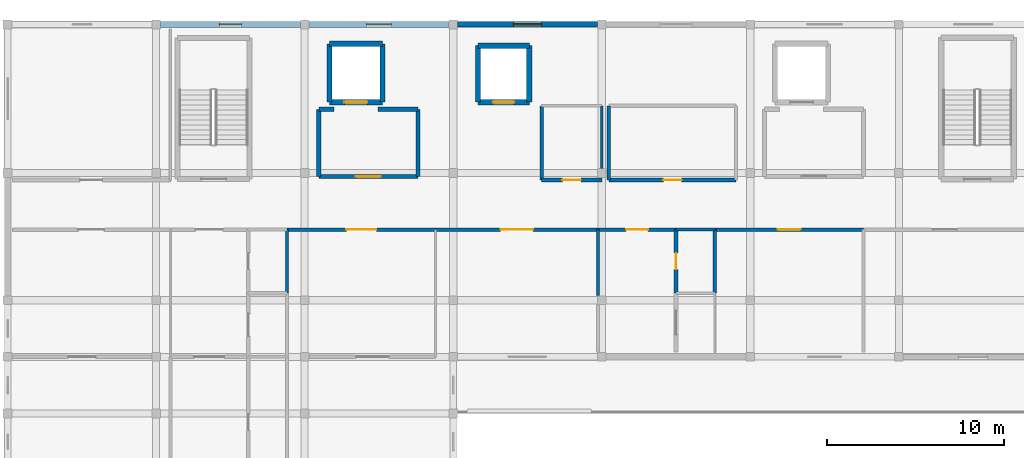
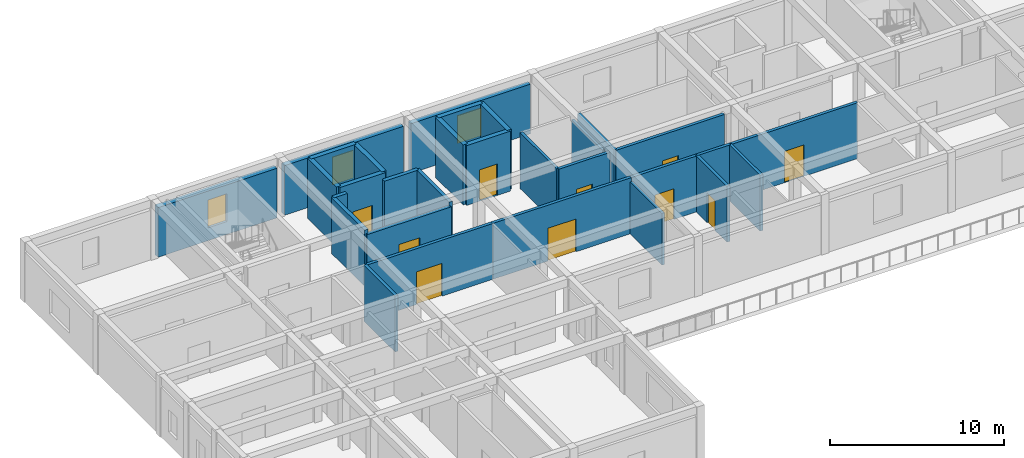
# One storey, part 12 of 26: 30 walls, 10 doors, 3 windows, 13 openings.
"""IFC4 building model written with IfcOpenShell, lengths in metres."""

from ifc_helpers import new_model, si_unit, direction, frame, frame_2d, origin, place, context, subcontext, project, spatial, rectangle, extrude, material, layer, layer_set, type_object, element, fill, save


model = new_model("IFC4")

# Units and contexts
model_context = context("Model", 3, precision=1e-05, world=origin(), true_north=direction((0.0, 1.0)))
body_context = subcontext(model_context, "Body", "Model", "MODEL_VIEW")
ifc_project = project(units=[si_unit("LENGTHUNIT", "METRE"), si_unit("AREAUNIT", "SQUARE_METRE"), si_unit("VOLUMEUNIT", "CUBIC_METRE"), si_unit("PLANEANGLEUNIT", "RADIAN"), si_unit("MASSUNIT", "GRAM", prefix="KILO")], contexts=[model_context])

# Site, building, storey
site_placement = place(None, origin())
site = spatial("IfcSite", under=ifc_project, at=site_placement, CompositionType="ELEMENT")
building_placement = place(site_placement, origin())
building = spatial("IfcBuilding", under=site, at=building_placement, Name="Varncliffe General Hospital", CompositionType="ELEMENT")
storey_placement = place(building_placement, frame((0.0, 0.0, 28.800048828125)))
storey = spatial("IfcBuildingStorey", under=building, at=storey_placement, Name="L06", CompositionType="ELEMENT", Elevation=28.800048828125)

# Wall, opening, window
ifc_material_1 = material(Name="Precast concrete C40/50 with insulated cream lime-cement stucco", Category="concrete")
ifc_layer_1 = layer(ifc_material_1, 0.31005859375)
ifc_layer_set_1 = layer_set([ifc_layer_1], Name="Precast concrete C40/50 with insulated cream lime-cement stucco")
wall_type_1 = type_object("IfcWallType", Name="Exterior Insulated Stucco Wall EW20 (310mm)", PredefinedType="SOLIDWALL", material=ifc_layer_set_1)
wall_1_placement = place(storey_placement, frame((25.447998046875, 124.800048828125, 0.0), z_axis=(0.0, 0.0, 1.0), x_axis=(1.0, 0.0, 0.0)))
wall_1 = element("IfcWall", 1, at=wall_1_placement, inside=storey, type_object=wall_type_1, Name="L06 Exterior Stucco Wall EW20-487", PredefinedType="SOLIDWALL", context=body_context, shape_type="SweptSolid", body=[
    extrude(rectangle(XDim=7.904052734375, YDim=0.31005859375, at=frame_2d((3.9521484375, 0.0))), origin(), (0.0, 0.0, 1.0), 3.47998046875),
])
opening_1_placement = place(wall_1_placement, frame((3.152099609375, 0.0, 0.89990234375)))
opening_1 = element("IfcOpeningElement", 2, at=opening_1_placement, cuts=wall_1, Name="Opening WN13", PredefinedType="OPENING", context=body_context, shape_type="SweptSolid", body=[
    extrude(rectangle(XDim=1.60009765625, YDim=1.949951171875, at=frame_2d((0.800048828125, 0.97509765625))), frame((0.0, 0.1650390625, 0.0), z_axis=(0.0, -1.0, 0.0), x_axis=(1.0, 0.0, 0.0)), (0.0, 0.0, 1.0), 0.330078125),
])
ifc_material_2 = material(Name="Triple low-E argon insulated vision glazing", Category="glass")
window_type_1 = type_object("IfcWindowType", Name="Triple-Glazed Hospital Window WN13 (1600x1950)", PartitioningType="DOUBLE_PANEL_VERTICAL", PredefinedType="WINDOW", material=ifc_material_2)
window_1_placement = place(opening_1_placement, origin())
window_1 = element("IfcWindow", 3, at=window_1_placement, inside=storey, type_object=window_type_1, Name="L06 Hospital Window WN13-379", OverallHeight=1.949951171875, OverallWidth=1.60009765625, PartitioningType="DOUBLE_PANEL_VERTICAL", PredefinedType="WINDOW", context=body_context, shape_type="SweptSolid", body=[
    extrude(rectangle(XDim=1.60009765625, YDim=1.949951171875, at=frame_2d((0.800048828125, 0.97509765625))), frame((0.0, 0.030029296875, 0.0), z_axis=(0.0, -1.0, 0.0), x_axis=(1.0, 0.0, 0.0)), (0.0, 0.0, 1.0), 0.06005859375),
])
fill(opening_1, window_1)

ifc_layer_2 = layer(ifc_material_1, 0.330078125)
ifc_layer_set_2 = layer_set([ifc_layer_2], Name="Precast concrete C40/50 with insulated cream lime-cement stucco")
wall_type_2 = type_object("IfcWallType", Name="Exterior Insulated Stucco Wall EW33 (330mm)", PredefinedType="SOLIDWALL", material=ifc_layer_set_2)
wall_2_placement = place(storey_placement, frame((17.048095703125, 124.800048828125, 0.0), z_axis=(0.0, 0.0, 1.0), x_axis=(1.0, 0.0, 0.0)))
wall_2 = element("IfcWall", 4, at=wall_2_placement, inside=storey, type_object=wall_type_2, Name="L06 Exterior Stucco Wall EW33-486", PredefinedType="SOLIDWALL", context=body_context, shape_type="SweptSolid", body=[
    extrude(rectangle(XDim=7.90380859375, YDim=0.330078125, at=frame_2d((3.951904296875, 0.0))), origin(), (0.0, 0.0, 1.0), 3.47998046875),
])
opening_2_placement = place(wall_2_placement, frame((3.251953125, 0.0, 0.89990234375)))
opening_2 = element("IfcOpeningElement", 5, at=opening_2_placement, cuts=wall_2, Name="Opening WN22", PredefinedType="OPENING", context=body_context, shape_type="SweptSolid", body=[
    extrude(rectangle(XDim=1.39990234375, YDim=1.949951171875, at=frame_2d((0.699951171875, 0.97509765625))), frame((0.0, 0.175048828125, 0.0), z_axis=(0.0, -1.0, 0.0), x_axis=(1.0, 0.0, 0.0)), (0.0, 0.0, 1.0), 0.35009765625),
])
window_type_2 = type_object("IfcWindowType", Name="Triple-Glazed Hospital Window WN22 (1400x1950)", PartitioningType="SINGLE_PANEL", PredefinedType="WINDOW", material=ifc_material_2)
window_2_placement = place(opening_2_placement, origin())
window_2 = element("IfcWindow", 6, at=window_2_placement, inside=storey, type_object=window_type_2, Name="L06 Hospital Window WN22-378", OverallHeight=1.949951171875, OverallWidth=1.39990234375, PartitioningType="SINGLE_PANEL", PredefinedType="WINDOW", context=body_context, shape_type="SweptSolid", body=[
    extrude(rectangle(XDim=1.39990234375, YDim=1.949951171875, at=frame_2d((0.699951171875, 0.97509765625))), frame((0.0, 0.030029296875, 0.0), z_axis=(0.0, -1.0, 0.0), x_axis=(1.0, 0.0, 0.0)), (0.0, 0.0, 1.0), 0.06005859375),
])
fill(opening_2, window_2)

ifc_layer_3 = layer(ifc_material_1, 0.35009765625)
ifc_layer_set_3 = layer_set([ifc_layer_3], Name="Precast concrete C40/50 with insulated cream lime-cement stucco")
wall_type_3 = type_object("IfcWallType", Name="Exterior Insulated Stucco Wall EW37 (350mm)", PredefinedType="SOLIDWALL", material=ifc_layer_set_3)
wall_3_placement = place(storey_placement, frame((8.64794921875, 124.800048828125, 0.0), z_axis=(0.0, 0.0, 1.0), x_axis=(1.0, 0.0, 0.0)))
wall_3 = element("IfcWall", 7, at=wall_3_placement, inside=storey, type_object=wall_type_3, Name="L06 Exterior Stucco Wall EW37-485", PredefinedType="SOLIDWALL", context=body_context, shape_type="SweptSolid", body=[
    extrude(rectangle(XDim=7.904052734375, YDim=0.35009765625, at=frame_2d((3.9521484375, 0.0))), origin(), (0.0, 0.0, 1.0), 3.47998046875),
])
opening_3_placement = place(wall_3_placement, frame((3.326904296875, 0.0, 0.89990234375)))
opening_3 = element("IfcOpeningElement", 8, at=opening_3_placement, cuts=wall_3, Name="Opening WN49", PredefinedType="OPENING", context=body_context, shape_type="SweptSolid", body=[
    extrude(rectangle(XDim=1.25, YDim=1.949951171875, at=frame_2d((0.625, 0.97509765625))), frame((0.0, 0.18505859375, 0.0), z_axis=(0.0, -1.0, 0.0), x_axis=(1.0, 0.0, 0.0)), (0.0, 0.0, 1.0), 0.3701171875),
])
window_type_3 = type_object("IfcWindowType", Name="Triple-Glazed Hospital Window WN49 (1250x1950)", PartitioningType="SINGLE_PANEL", PredefinedType="WINDOW", material=ifc_material_2)
window_3_placement = place(opening_3_placement, origin())
window_3 = element("IfcWindow", 9, at=window_3_placement, inside=storey, type_object=window_type_3, Name="L06 Hospital Window WN49-377", OverallHeight=1.949951171875, OverallWidth=1.25, PartitioningType="SINGLE_PANEL", PredefinedType="WINDOW", context=body_context, shape_type="SweptSolid", body=[
    extrude(rectangle(XDim=1.25, YDim=1.949951171875, at=frame_2d((0.625, 0.97509765625))), frame((0.0, 0.030029296875, 0.0), z_axis=(0.0, -1.0, 0.0), x_axis=(1.0, 0.0, 0.0)), (0.0, 0.0, 1.0), 0.06005859375),
])
fill(opening_3, window_3)

# Walls
ifc_material_3 = material(Name="Acoustic clinical gypsum stud partition assembly", Category="gypsum")
ifc_layer_4 = layer(ifc_material_3, 0.169921875)
ifc_layer_set_4 = layer_set([ifc_layer_4], Name="Acoustic clinical gypsum stud partition assembly")
wall_type_4 = type_object("IfcWallType", Name="Interior Partitioning IW20 (170mm)", PredefinedType="PARTITIONING", material=ifc_layer_set_4)
wall_4_placement = place(storey_placement, frame((33.39990234375, 109.465087890625, 0.0), z_axis=(0.0, 0.0, 1.0), x_axis=(0.0, 1.0, 0.0)))
element("IfcWall", 10, at=wall_4_placement, inside=storey, type_object=wall_type_4, Name="L06 Interior Partition Wall IW20-2275", PredefinedType="PARTITIONING", context=body_context, shape_type="SweptSolid", body=[
    extrude(rectangle(XDim=3.73486328125, YDim=0.169921875, at=frame_2d((1.867431640625, 0.0))), origin(), (0.0, 0.0, 1.0), 3.635009765625),
])
ifc_material_4 = material(Name="Fire-rated gypsum and mineral-wool partition assembly", Category="gypsum")
ifc_layer_5 = layer(ifc_material_4, 0.25)
ifc_layer_set_5 = layer_set([ifc_layer_5], Name="Fire-rated gypsum and mineral-wool partition assembly")
wall_type_5 = type_object("IfcWallType", Name="Interior Partitioning PW38 (250mm)", PredefinedType="PARTITIONING", material=ifc_layer_set_5)
wall_5_placement = place(storey_placement, frame((20.935791015625, 120.0, 0.0), z_axis=(0.0, 0.0, 1.0), x_axis=(1.0, 0.0, 0.0)))
element("IfcWall", 11, at=wall_5_placement, inside=storey, type_object=wall_type_5, Name="L06 Interior Partition Wall PW38-2249", PredefinedType="PARTITIONING", context=body_context, shape_type="SweptSolid", body=[
    extrude(rectangle(XDim=2.26416015625, YDim=0.25, at=frame_2d((1.132080078125, 0.0))), origin(), (0.0, 0.0, 1.0), 3.919921875),
])
wall_6_placement = place(storey_placement, frame((17.60009765625, 120.0, 0.0), z_axis=(0.0, 0.0, 1.0), x_axis=(1.0, 0.0, 0.0)))
element("IfcWall", 12, at=wall_6_placement, inside=storey, type_object=wall_type_5, Name="L06 Interior Partition Wall PW38-2250", PredefinedType="PARTITIONING", context=body_context, shape_type="SweptSolid", body=[
    extrude(rectangle(XDim=0.864013671875, YDim=0.25, at=frame_2d((0.43212890625, 0.0))), origin(), (0.0, 0.0, 1.0), 3.919921875),
])
wall_7_placement = place(storey_placement, frame((17.60009765625, 116.199951171875, 0.0), z_axis=(0.0, 0.0, 1.0), x_axis=(0.0, 1.0, 0.0)))
element("IfcWall", 13, at=wall_7_placement, inside=storey, type_object=wall_type_5, Name="L06 Interior Partition Wall PW38-2271", PredefinedType="PARTITIONING", context=body_context, shape_type="SweptSolid", body=[
    extrude(rectangle(XDim=3.800048828125, YDim=0.25, at=frame_2d((1.89990234375, 0.0))), origin(), (0.0, 0.0, 1.0), 3.919921875),
])

# Wall, opening, door
ifc_layer_6 = layer(ifc_material_4, 0.22998046875)
ifc_layer_set_6 = layer_set([ifc_layer_6], Name="Fire-rated gypsum and mineral-wool partition assembly")
wall_type_6 = type_object("IfcWallType", Name="Interior Partitioning PW48 (230mm)", PredefinedType="PARTITIONING", material=ifc_layer_set_6)
wall_8_placement = place(storey_placement, frame((17.60009765625, 116.199951171875, 0.0), z_axis=(0.0, 0.0, 1.0), x_axis=(1.0, 0.0, 0.0)))
wall_8 = element("IfcWall", 14, at=wall_8_placement, inside=storey, type_object=wall_type_6, Name="L06 Interior Partition Wall PW48-2246", PredefinedType="PARTITIONING", context=body_context, shape_type="SweptSolid", body=[
    extrude(rectangle(XDim=5.599853515625, YDim=0.22998046875, at=frame_2d((2.7998046875, 0.0))), origin(), (0.0, 0.0, 1.0), 3.635009765625),
])
opening_4_placement = place(wall_8_placement, frame((2.10009765625, 0.0, 0.0)))
opening_4 = element("IfcOpeningElement", 15, at=opening_4_placement, cuts=wall_8, Name="Opening DF81", PredefinedType="OPENING", context=body_context, shape_type="SweptSolid", body=[
    extrude(rectangle(XDim=1.39990234375, YDim=2.199951171875, at=frame_2d((0.699951171875, 1.10009765625))), frame((0.0, 0.125, 0.0), z_axis=(0.0, -1.0, 0.0), x_axis=(1.0, 0.0, 0.0)), (0.0, 0.0, 1.0), 0.25),
])
ifc_material_5 = material(Name="Fire-rated hospital steel-frame vision-panel door", Category="steel")
door_type_1 = type_object("IfcDoorType", Name="Interior Hospital Door DF81 (1400x2200)", OperationType="NOTDEFINED", PredefinedType="DOOR", material=ifc_material_5)
door_1_placement = place(opening_4_placement, origin())
door_1 = element("IfcDoor", 16, at=door_1_placement, inside=storey, type_object=door_type_1, Name="L06 Firefighting Lift Lobby LF01 Door", OperationType="SINGLE_SWING_RIGHT", OverallHeight=2.199951171875, OverallWidth=1.39990234375, PredefinedType="DOOR", context=body_context, shape_type="SweptSolid", body=[
    extrude(rectangle(XDim=1.39990234375, YDim=2.199951171875, at=frame_2d((0.699951171875, 1.10009765625))), frame((0.0, 0.02490234375, 0.0), z_axis=(0.0, -1.0, 0.0), x_axis=(1.0, 0.0, 0.0)), (0.0, 0.0, 1.0), 0.050048828125),
])
fill(opening_4, door_1)

# Wall
wall_9_placement = place(storey_placement, frame((23.199951171875, 116.199951171875, 0.0), z_axis=(0.0, 0.0, 1.0), x_axis=(0.0, 1.0, 0.0)))
element("IfcWall", 17, at=wall_9_placement, inside=storey, type_object=wall_type_6, Name="L06 Interior Partition Wall PW48-2272", PredefinedType="PARTITIONING", context=body_context, shape_type="SweptSolid", body=[
    extrude(rectangle(XDim=3.800048828125, YDim=0.22998046875, at=frame_2d((1.89990234375, 0.0))), origin(), (0.0, 0.0, 1.0), 3.919921875),
])

# Wall, opening, door
ifc_layer_7 = layer(ifc_material_4, 0.199951171875)
ifc_layer_set_7 = layer_set([ifc_layer_7], Name="Fire-rated gypsum and mineral-wool partition assembly")
wall_type_7 = type_object("IfcWallType", Name="Interior Partitioning PW63 (200mm)", PredefinedType="PARTITIONING", material=ifc_layer_set_7)
wall_10_placement = place(storey_placement, frame((15.800048828125, 113.199951171875, 0.0), z_axis=(0.0, 0.0, 1.0), x_axis=(1.0, 0.0, 0.0)))
wall_10 = element("IfcWall", 18, at=wall_10_placement, inside=storey, type_object=wall_type_7, Name="L06 Interior Partition Wall PW63-2215", PredefinedType="PARTITIONING", context=body_context, shape_type="SweptSolid", body=[
    extrude(rectangle(XDim=8.39990234375, YDim=0.199951171875, at=frame_2d((4.199951171875, 0.0))), origin(), (0.0, 0.0, 1.0), 3.919921875),
])
opening_5_placement = place(wall_10_placement, frame((3.35009765625, 0.0, 0.0)))
opening_5 = element("IfcOpeningElement", 19, at=opening_5_placement, cuts=wall_10, Name="Opening DC50", PredefinedType="OPENING", context=body_context, shape_type="SweptSolid", body=[
    extrude(rectangle(XDim=1.699951171875, YDim=2.300048828125, at=frame_2d((0.85009765625, 1.14990234375))), frame((0.0, 0.10986328125, 0.0), z_axis=(0.0, -1.0, 0.0), x_axis=(1.0, 0.0, 0.0)), (0.0, 0.0, 1.0), 0.219970703125),
])
door_type_2 = type_object("IfcDoorType", Name="Interior Hospital Door DC50 (1700x2300)", OperationType="NOTDEFINED", PredefinedType="DOOR", material=ifc_material_5)
door_2_placement = place(opening_5_placement, frame((1.699951171875, 0.0, 0.0), z_axis=(0.0, 0.0, 1.0), x_axis=(-1.0, 0.0, 0.0)))
door_2 = element("IfcDoor", 20, at=door_2_placement, inside=storey, type_object=door_type_2, Name="L06 Paediatric Playroom and Daylight Lounge 21 Door", OperationType="SINGLE_SWING_LEFT", OverallHeight=2.300048828125, OverallWidth=1.699951171875, PredefinedType="DOOR", context=body_context, shape_type="SweptSolid", body=[
    extrude(rectangle(XDim=1.699951171875, YDim=2.300048828125, at=frame_2d((0.85009765625, 1.14990234375))), frame((0.0, 0.02490234375, 0.0), z_axis=(0.0, -1.0, 0.0), x_axis=(1.0, 0.0, 0.0)), (0.0, 0.0, 1.0), 0.050048828125),
])
fill(opening_5, door_2)

wall_11_placement = place(storey_placement, frame((24.199951171875, 113.199951171875, 0.0), z_axis=(0.0, 0.0, 1.0), x_axis=(1.0, 0.0, 0.0)))
wall_11 = element("IfcWall", 21, at=wall_11_placement, inside=storey, type_object=wall_type_7, Name="L06 Interior Partition Wall PW63-2216", PredefinedType="PARTITIONING", context=body_context, shape_type="SweptSolid", body=[
    extrude(rectangle(XDim=9.199951171875, YDim=0.199951171875, at=frame_2d((4.60009765625, 0.0))), origin(), (0.0, 0.0, 1.0), 3.919921875),
])
opening_6_placement = place(wall_11_placement, frame((3.675048828125, 0.0, 0.0)))
opening_6 = element("IfcOpeningElement", 22, at=opening_6_placement, cuts=wall_11, Name="Opening DC38", PredefinedType="OPENING", context=body_context, shape_type="SweptSolid", body=[
    extrude(rectangle(XDim=1.85009765625, YDim=2.300048828125, at=frame_2d((0.925048828125, 1.14990234375))), frame((0.0, 0.10986328125, 0.0), z_axis=(0.0, -1.0, 0.0), x_axis=(1.0, 0.0, 0.0)), (0.0, 0.0, 1.0), 0.219970703125),
])
door_type_3 = type_object("IfcDoorType", Name="Interior Hospital Door DC38 (1850x2300)", OperationType="NOTDEFINED", PredefinedType="DOOR", material=ifc_material_5)
door_3_placement = place(opening_6_placement, frame((1.85009765625, 0.0, 0.0), z_axis=(0.0, 0.0, 1.0), x_axis=(-1.0, 0.0, 0.0)))
door_3 = element("IfcDoor", 23, at=door_3_placement, inside=storey, type_object=door_type_3, Name="L06 Neonatal Intensive Care Nursery NICU 22 Door", OperationType="SINGLE_SWING_RIGHT", OverallHeight=2.300048828125, OverallWidth=1.85009765625, PredefinedType="DOOR", context=body_context, shape_type="SweptSolid", body=[
    extrude(rectangle(XDim=1.85009765625, YDim=2.300048828125, at=frame_2d((0.925048828125, 1.14990234375))), frame((0.0, 0.02490234375, 0.0), z_axis=(0.0, -1.0, 0.0), x_axis=(1.0, 0.0, 0.0)), (0.0, 0.0, 1.0), 0.050048828125),
])
fill(opening_6, door_3)

wall_12_placement = place(storey_placement, frame((33.39990234375, 113.199951171875, 0.0), z_axis=(0.0, 0.0, 1.0), x_axis=(1.0, 0.0, 0.0)))
wall_12 = element("IfcWall", 24, at=wall_12_placement, inside=storey, type_object=wall_type_7, Name="L06 Interior Partition Wall PW63-2217", PredefinedType="PARTITIONING", context=body_context, shape_type="SweptSolid", body=[
    extrude(rectangle(XDim=4.400146484375, YDim=0.199951171875, at=frame_2d((2.2001953125, 0.0))), origin(), (0.0, 0.0, 1.0), 3.919921875),
])
opening_7_placement = place(wall_12_placement, frame((1.574951171875, 0.0, 0.0)))
opening_7 = element("IfcOpeningElement", 25, at=opening_7_placement, cuts=wall_12, Name="Opening DC44", PredefinedType="OPENING", context=body_context, shape_type="SweptSolid", body=[
    extrude(rectangle(XDim=1.25, YDim=2.14990234375, at=frame_2d((0.625, 1.074951171875))), frame((0.0, 0.10986328125, 0.0), z_axis=(0.0, -1.0, 0.0), x_axis=(1.0, 0.0, 0.0)), (0.0, 0.0, 1.0), 0.219970703125),
])
door_type_4 = type_object("IfcDoorType", Name="Interior Hospital Door DC44 (1250x2150)", OperationType="NOTDEFINED", PredefinedType="DOOR", material=ifc_material_5)
door_4_placement = place(opening_7_placement, frame((1.25, 0.0, 0.0), z_axis=(0.0, 0.0, 1.0), x_axis=(-1.0, 0.0, 0.0)))
door_4 = element("IfcDoor", 26, at=door_4_placement, inside=storey, type_object=door_type_4, Name="L06 Paediatric Inpatient Bedroom 23 Door", OperationType="SINGLE_SWING_LEFT", OverallHeight=2.14990234375, OverallWidth=1.25, PredefinedType="DOOR", context=body_context, shape_type="SweptSolid", body=[
    extrude(rectangle(XDim=1.25, YDim=2.14990234375, at=frame_2d((0.625, 1.074951171875))), frame((0.0, 0.02490234375, 0.0), z_axis=(0.0, -1.0, 0.0), x_axis=(1.0, 0.0, 0.0)), (0.0, 0.0, 1.0), 0.050048828125),
])
fill(opening_7, door_4)

wall_13_placement = place(storey_placement, frame((40.0, 113.199951171875, 0.0), z_axis=(0.0, 0.0, 1.0), x_axis=(1.0, 0.0, 0.0)))
wall_13 = element("IfcWall", 27, at=wall_13_placement, inside=storey, type_object=wall_type_7, Name="L06 Interior Partition Wall PW63-2219", PredefinedType="PARTITIONING", context=body_context, shape_type="SweptSolid", body=[
    extrude(rectangle(XDim=8.39990234375, YDim=0.199951171875, at=frame_2d((4.199951171875, 0.0))), origin(), (0.0, 0.0, 1.0), 3.919921875),
])
opening_8_placement = place(wall_13_placement, frame((3.550048828125, 0.0, 0.0)))
opening_8 = element("IfcOpeningElement", 28, at=opening_8_placement, cuts=wall_13, Name="Opening DC88", PredefinedType="OPENING", context=body_context, shape_type="SweptSolid", body=[
    extrude(rectangle(XDim=1.300048828125, YDim=2.199951171875, at=frame_2d((0.64990234375, 1.10009765625))), frame((0.0, 0.10986328125, 0.0), z_axis=(0.0, -1.0, 0.0), x_axis=(1.0, 0.0, 0.0)), (0.0, 0.0, 1.0), 0.219970703125),
])
door_type_5 = type_object("IfcDoorType", Name="Interior Hospital Door DC88 (1300x2200)", OperationType="NOTDEFINED", PredefinedType="DOOR", material=ifc_material_5)
door_5_placement = place(opening_8_placement, frame((1.300048828125, 0.0, 0.0), z_axis=(0.0, 0.0, 1.0), x_axis=(-1.0, 0.0, 0.0)))
door_5 = element("IfcDoor", 29, at=door_5_placement, inside=storey, type_object=door_type_5, Name="L06 Paediatric Playroom and Daylight Lounge 26 Door", OperationType="SINGLE_SWING_RIGHT", OverallHeight=2.199951171875, OverallWidth=1.300048828125, PredefinedType="DOOR", context=body_context, shape_type="SweptSolid", body=[
    extrude(rectangle(XDim=1.300048828125, YDim=2.199951171875, at=frame_2d((0.64990234375, 1.10009765625))), frame((0.0, 0.02490234375, 0.0), z_axis=(0.0, -1.0, 0.0), x_axis=(1.0, 0.0, 0.0)), (0.0, 0.0, 1.0), 0.050048828125),
])
fill(opening_8, door_5)

wall_14_placement = place(storey_placement, frame((30.199951171875, 116.0, 0.0), z_axis=(0.0, 0.0, 1.0), x_axis=(1.0, 0.0, 0.0)))
wall_14 = element("IfcWall", 30, at=wall_14_placement, inside=storey, type_object=wall_type_7, Name="L06 Interior Partition Wall PW63-2237", PredefinedType="PARTITIONING", context=body_context, shape_type="SweptSolid", body=[
    extrude(rectangle(XDim=3.400146484375, YDim=0.199951171875, at=frame_2d((1.7001953125, 0.0))), origin(), (0.0, 0.0, 1.0), 3.919921875),
])
opening_9_placement = place(wall_14_placement, frame((1.179931640625, 0.0, 0.0)))
opening_9 = element("IfcOpeningElement", 31, at=opening_9_placement, cuts=wall_14, Name="Opening DI77", PredefinedType="OPENING", context=body_context, shape_type="SweptSolid", body=[
    extrude(rectangle(XDim=1.0400390625, YDim=2.10009765625, at=frame_2d((0.52001953125, 1.050048828125))), frame((0.0, 0.10986328125, 0.0), z_axis=(0.0, -1.0, 0.0), x_axis=(1.0, 0.0, 0.0)), (0.0, 0.0, 1.0), 0.219970703125),
])
ifc_material_6 = material(Name="Solid-core antimicrobial hospital oak veneer door", Category="wood")
door_type_6 = type_object("IfcDoorType", Name="Interior Hospital Door DI77 (1040x2100)", OperationType="NOTDEFINED", PredefinedType="DOOR", material=ifc_material_6)
door_6_placement = place(opening_9_placement, origin())
door_6 = element("IfcDoor", 32, at=door_6_placement, inside=storey, type_object=door_type_6, Name="L06 Accessible WC L06-NW Door", OperationType="SINGLE_SWING_RIGHT", OverallHeight=2.10009765625, OverallWidth=1.0400390625, PredefinedType="DOOR", context=body_context, shape_type="SweptSolid", body=[
    extrude(rectangle(XDim=1.0400390625, YDim=2.10009765625, at=frame_2d((0.52001953125, 1.050048828125))), frame((0.0, 0.02490234375, 0.0), z_axis=(0.0, -1.0, 0.0), x_axis=(1.0, 0.0, 0.0)), (0.0, 0.0, 1.0), 0.050048828125),
])
fill(opening_9, door_6)

wall_15_placement = place(storey_placement, frame((34.0, 116.0, 0.0), z_axis=(0.0, 0.0, 1.0), x_axis=(1.0, 0.0, 0.0)))
wall_15 = element("IfcWall", 33, at=wall_15_placement, inside=storey, type_object=wall_type_7, Name="L06 Interior Partition Wall PW63-2238", PredefinedType="PARTITIONING", context=body_context, shape_type="SweptSolid", body=[
    extrude(rectangle(XDim=7.199951171875, YDim=0.199951171875, at=frame_2d((3.60009765625, 0.0))), origin(), (0.0, 0.0, 1.0), 3.919921875),
])
opening_10_placement = place(wall_15_placement, frame((3.080078125, 0.0, 0.0)))
opening_10 = element("IfcOpeningElement", 34, at=opening_10_placement, cuts=wall_15, Name="Opening DI77", PredefinedType="OPENING", context=body_context, shape_type="SweptSolid", body=[
    extrude(rectangle(XDim=1.0400390625, YDim=2.10009765625, at=frame_2d((0.52001953125, 1.050048828125))), frame((0.0, 0.10986328125, 0.0), z_axis=(0.0, -1.0, 0.0), x_axis=(1.0, 0.0, 0.0)), (0.0, 0.0, 1.0), 0.219970703125),
])
door_7_placement = place(opening_10_placement, origin())
door_7 = element("IfcDoor", 35, at=door_7_placement, inside=storey, type_object=door_type_6, Name="L06 Staff and Visitor WC L06-NW Door", OperationType="SINGLE_SWING_LEFT", OverallHeight=2.10009765625, OverallWidth=1.0400390625, PredefinedType="DOOR", context=body_context, shape_type="SweptSolid", body=[
    extrude(rectangle(XDim=1.0400390625, YDim=2.10009765625, at=frame_2d((0.52001953125, 1.050048828125))), frame((0.0, 0.02490234375, 0.0), z_axis=(0.0, -1.0, 0.0), x_axis=(1.0, 0.0, 0.0)), (0.0, 0.0, 1.0), 0.050048828125),
])
fill(opening_10, door_7)

wall_16_placement = place(storey_placement, frame((37.800048828125, 109.60009765625, 0.0), z_axis=(0.0, 0.0, 1.0), x_axis=(0.0, 1.0, 0.0)))
wall_16 = element("IfcWall", 36, at=wall_16_placement, inside=storey, type_object=wall_type_7, Name="L06 Interior Partition Wall PW63-2280", PredefinedType="PARTITIONING", context=body_context, shape_type="SweptSolid", body=[
    extrude(rectangle(XDim=3.599853515625, YDim=0.199951171875, at=frame_2d((1.7998046875, 0.0))), origin(), (0.0, 0.0, 1.0), 3.919921875),
])
opening_11_placement = place(wall_16_placement, frame((1.340087890625, 0.0, 0.0)))
opening_11 = element("IfcOpeningElement", 37, at=opening_11_placement, cuts=wall_16, Name="Opening DI70", PredefinedType="OPENING", context=body_context, shape_type="SweptSolid", body=[
    extrude(rectangle(XDim=0.919921875, YDim=2.10009765625, at=frame_2d((0.4599609375, 1.050048828125))), frame((0.0, 0.10986328125, 0.0), z_axis=(0.0, -1.0, 0.0), x_axis=(1.0, 0.0, 0.0)), (0.0, 0.0, 1.0), 0.219970703125),
])
door_type_7 = type_object("IfcDoorType", Name="Interior Hospital Door DI70 (920x2100)", OperationType="NOTDEFINED", PredefinedType="DOOR", material=ifc_material_6)
door_8_placement = place(opening_11_placement, frame((0.919921875, 0.0, 0.0), z_axis=(0.0, 0.0, 1.0), x_axis=(-1.0, 0.0, 0.0)))
door_8 = element("IfcDoor", 38, at=door_8_placement, inside=storey, type_object=door_type_7, Name="L06 En-Suite Bathroom 24 Door", OperationType="SINGLE_SWING_RIGHT", OverallHeight=2.10009765625, OverallWidth=0.919921875, PredefinedType="DOOR", context=body_context, shape_type="SweptSolid", body=[
    extrude(rectangle(XDim=0.919921875, YDim=2.10009765625, at=frame_2d((0.4599609375, 1.050048828125))), frame((0.0, 0.02490234375, 0.0), z_axis=(0.0, -1.0, 0.0), x_axis=(1.0, 0.0, 0.0)), (0.0, 0.0, 1.0), 0.050048828125),
])
fill(opening_11, door_8)

# Walls
ifc_material_7 = material(Name="Moisture-resistant plumbing chase wall assembly", Category="gypsum")
ifc_layer_8 = layer(ifc_material_7, 0.18994140625)
ifc_layer_set_8 = layer_set([ifc_layer_8], Name="Moisture-resistant plumbing chase wall assembly")
wall_type_8 = type_object("IfcWallType", Name="Interior Plumbingwall MW17 (190mm)", PredefinedType="PLUMBINGWALL", material=ifc_layer_set_8)
wall_17_placement = place(storey_placement, frame((37.800048828125, 113.199951171875, 0.0), z_axis=(0.0, 0.0, 1.0), x_axis=(1.0, 0.0, 0.0)))
element("IfcWall", 39, at=wall_17_placement, inside=storey, type_object=wall_type_8, Name="L06 Interior Plumbing Wall MW17-2218", PredefinedType="PLUMBINGWALL", context=body_context, shape_type="SweptSolid", body=[
    extrude(rectangle(XDim=2.199951171875, YDim=0.18994140625, at=frame_2d((1.10009765625, 0.0))), origin(), (0.0, 0.0, 1.0), 3.919921875),
])
wall_18_placement = place(storey_placement, frame((15.800048828125, 109.60009765625, 0.0), z_axis=(0.0, 0.0, 1.0), x_axis=(0.0, 1.0, 0.0)))
element("IfcWall", 40, at=wall_18_placement, inside=storey, type_object=wall_type_8, Name="L06 Interior Plumbing Wall MW17-2270", PredefinedType="PLUMBINGWALL", context=body_context, shape_type="SweptSolid", body=[
    extrude(rectangle(XDim=3.599853515625, YDim=0.18994140625, at=frame_2d((1.7998046875, 0.0))), origin(), (0.0, 0.0, 1.0), 3.919921875),
])
for number, where, z_axis, x_axis, name in (
    (41, (30.199951171875, 116.0, 0.0), (0.0, 0.0, 1.0), (0.0, 1.0, 0.0), "L06 Interior Plumbing Wall MW17-2274"),
    (42, (34.0, 116.0, 0.0), (0.0, 0.0, 1.0), (0.0, 1.0, 0.0), "L06 Interior Plumbing Wall MW17-2278"),
):
    element("IfcWall", number, at=place(storey_placement, frame(where, z_axis=z_axis, x_axis=x_axis)), inside=storey, type_object=wall_type_8, Name=name, PredefinedType="PLUMBINGWALL", context=body_context, shape_type="SweptSolid", body=[
        extrude(rectangle(XDim=4.199951171875, YDim=0.18994140625, at=frame_2d((2.10009765625, 0.0))), origin(), (0.0, 0.0, 1.0), 3.919921875),
    ])
wall_19_placement = place(storey_placement, frame((40.0, 109.60009765625, 0.0), z_axis=(0.0, 0.0, 1.0), x_axis=(0.0, 1.0, 0.0)))
element("IfcWall", 43, at=wall_19_placement, inside=storey, type_object=wall_type_8, Name="L06 Interior Plumbing Wall MW17-2282", PredefinedType="PLUMBINGWALL", context=body_context, shape_type="SweptSolid", body=[
    extrude(rectangle(XDim=3.599853515625, YDim=0.18994140625, at=frame_2d((1.7998046875, 0.0))), origin(), (0.0, 0.0, 1.0), 3.919921875),
])
ifc_layer_9 = layer(ifc_material_7, 0.159912109375)
ifc_layer_set_9 = layer_set([ifc_layer_9], Name="Moisture-resistant plumbing chase wall assembly")
wall_type_9 = type_object("IfcWallType", Name="Interior Plumbingwall MW31 (160mm)", PredefinedType="PLUMBINGWALL", material=ifc_layer_set_9)
wall_20_placement = place(storey_placement, frame((33.60009765625, 116.6650390625, 0.0), z_axis=(0.0, 0.0, 1.0), x_axis=(0.0, 1.0, 0.0)))
element("IfcWall", 44, at=wall_20_placement, inside=storey, type_object=wall_type_9, Name="L06 Interior Plumbing Wall MW31-2277", PredefinedType="PLUMBINGWALL", context=body_context, shape_type="SweptSolid", body=[
    extrude(rectangle(XDim=3.534912109375, YDim=0.159912109375, at=frame_2d((1.767578125, 0.0))), origin(), (0.0, 0.0, 1.0), 3.635009765625),
])

# Wall, opening, door
ifc_material_8 = material(Name="Concrete C40/50 (CSA A23.1 40 MPa)", Category="concrete")
ifc_layer_10 = layer(ifc_material_8, 0.300048828125)
ifc_layer_set_10 = layer_set([ifc_layer_10], Name="Concrete C40/50 (CSA A23.1 40 MPa)")
wall_type_10 = type_object("IfcWallType", Name="Reinforced Concrete Core Shear Wall CW12 (300mm)", PredefinedType="SHEAR", material=ifc_layer_set_10)
wall_21_placement = place(storey_placement, frame((18.199951171875, 120.39990234375, 0.0), z_axis=(0.0, 0.0, 1.0), x_axis=(1.0, 0.0, 0.0)))
wall_21 = element("IfcWall", 45, at=wall_21_placement, inside=storey, type_object=wall_type_10, Name="L06 LF01 Elevator Shaft Wall South", PredefinedType="SHEAR", context=body_context, shape_type="SweptSolid", body=[
    extrude(rectangle(XDim=3.0, YDim=0.300048828125, at=frame_2d((1.5, 0.0))), origin(), (0.0, 0.0, 1.0), 4.199951171875),
])
opening_12_placement = place(wall_21_placement, frame((0.85009765625, 0.0, 0.0)))
opening_12 = element("IfcOpeningElement", 46, at=opening_12_placement, cuts=wall_21, Name="Opening LD02", PredefinedType="OPENING", context=body_context, shape_type="SweptSolid", body=[
    extrude(rectangle(XDim=1.300048828125, YDim=2.199951171875, at=frame_2d((0.64990234375, 1.10009765625))), frame((0.0, 0.16015625, 0.0), z_axis=(0.0, -1.0, 0.0), x_axis=(1.0, 0.0, 0.0)), (0.0, 0.0, 1.0), 0.320068359375),
])
ifc_material_9 = material(Name="Brushed stainless-steel sliding elevator landing door", Category="steel")
door_type_8 = type_object("IfcDoorType", Name="Lift Landing Door LD02 (1300x2200)", OperationType="DOUBLE_DOOR_SLIDING", PredefinedType="DOOR", material=ifc_material_9)
door_9_placement = place(opening_12_placement, origin())
door_9 = element("IfcDoor", 47, at=door_9_placement, inside=storey, type_object=door_type_8, Name="Lift Landing Door LF01 L06", OperationType="DOUBLE_DOOR_SLIDING", OverallHeight=2.199951171875, OverallWidth=1.300048828125, PredefinedType="DOOR", context=body_context, shape_type="SweptSolid", body=[
    extrude(rectangle(XDim=1.300048828125, YDim=2.199951171875, at=frame_2d((0.64990234375, 1.10009765625))), frame((0.0, 0.02490234375, 0.0), z_axis=(0.0, -1.0, 0.0), x_axis=(1.0, 0.0, 0.0)), (0.0, 0.0, 1.0), 0.050048828125),
])
fill(opening_12, door_9)

# Walls
wall_22_placement = place(storey_placement, frame((21.199951171875, 120.39990234375, 0.0), z_axis=(0.0, 0.0, 1.0), x_axis=(0.0, 1.0, 0.0)))
element("IfcWall", 48, at=wall_22_placement, inside=storey, type_object=wall_type_10, Name="L06 LF01 Elevator Shaft Wall East", PredefinedType="SHEAR", context=body_context, shape_type="SweptSolid", body=[
    extrude(rectangle(XDim=3.300048828125, YDim=0.300048828125, at=frame_2d((1.64990234375, 0.0))), origin(), (0.0, 0.0, 1.0), 4.199951171875),
])
wall_23_placement = place(storey_placement, frame((21.199951171875, 123.699951171875, 0.0), z_axis=(0.0, 0.0, 1.0), x_axis=(-1.0, 0.0, 0.0)))
element("IfcWall", 49, at=wall_23_placement, inside=storey, type_object=wall_type_10, Name="L06 LF01 Elevator Shaft Wall North", PredefinedType="SHEAR", context=body_context, shape_type="SweptSolid", body=[
    extrude(rectangle(XDim=3.0, YDim=0.300048828125, at=frame_2d((1.5, 0.0))), origin(), (0.0, 0.0, 1.0), 4.199951171875),
])
wall_24_placement = place(storey_placement, frame((18.199951171875, 123.699951171875, 0.0), z_axis=(0.0, 0.0, 1.0), x_axis=(0.0, -1.0, 0.0)))
element("IfcWall", 50, at=wall_24_placement, inside=storey, type_object=wall_type_10, Name="L06 LF01 Elevator Shaft Wall West", PredefinedType="SHEAR", context=body_context, shape_type="SweptSolid", body=[
    extrude(rectangle(XDim=3.300048828125, YDim=0.300048828125, at=frame_2d((1.64990234375, 0.0))), origin(), (0.0, 0.0, 1.0), 4.199951171875),
])

# Wall, opening, door
wall_25_placement = place(storey_placement, frame((26.60009765625, 120.39990234375, 0.0), z_axis=(0.0, 0.0, 1.0), x_axis=(1.0, 0.0, 0.0)))
wall_25 = element("IfcWall", 51, at=wall_25_placement, inside=storey, type_object=wall_type_10, Name="L06 LF04 Elevator Shaft Wall South", PredefinedType="SHEAR", context=body_context, shape_type="SweptSolid", body=[
    extrude(rectangle(XDim=2.89990234375, YDim=0.300048828125, at=frame_2d((1.449951171875, 0.0))), origin(), (0.0, 0.0, 1.0), 4.199951171875),
])
opening_13_placement = place(wall_25_placement, frame((0.85009765625, 0.0, 0.0)))
opening_13 = element("IfcOpeningElement", 52, at=opening_13_placement, cuts=wall_25, Name="Opening LD01", PredefinedType="OPENING", context=body_context, shape_type="SweptSolid", body=[
    extrude(rectangle(XDim=1.199951171875, YDim=2.199951171875, at=frame_2d((0.60009765625, 1.10009765625))), frame((0.0, 0.16015625, 0.0), z_axis=(0.0, -1.0, 0.0), x_axis=(1.0, 0.0, 0.0)), (0.0, 0.0, 1.0), 0.320068359375),
])
door_type_9 = type_object("IfcDoorType", Name="Lift Landing Door LD01 (1200x2200)", OperationType="DOUBLE_DOOR_SLIDING", PredefinedType="DOOR", material=ifc_material_9)
door_10_placement = place(opening_13_placement, origin())
door_10 = element("IfcDoor", 53, at=door_10_placement, inside=storey, type_object=door_type_9, Name="Lift Landing Door LF04 L06", OperationType="DOUBLE_DOOR_SLIDING", OverallHeight=2.199951171875, OverallWidth=1.199951171875, PredefinedType="DOOR", context=body_context, shape_type="SweptSolid", body=[
    extrude(rectangle(XDim=1.199951171875, YDim=2.199951171875, at=frame_2d((0.60009765625, 1.10009765625))), frame((0.0, 0.02490234375, 0.0), z_axis=(0.0, -1.0, 0.0), x_axis=(1.0, 0.0, 0.0)), (0.0, 0.0, 1.0), 0.050048828125),
])
fill(opening_13, door_10)

# Walls
wall_26_placement = place(storey_placement, frame((29.5, 120.39990234375, 0.0), z_axis=(0.0, 0.0, 1.0), x_axis=(0.0, 1.0, 0.0)))
element("IfcWall", 54, at=wall_26_placement, inside=storey, type_object=wall_type_10, Name="L06 LF04 Elevator Shaft Wall East", PredefinedType="SHEAR", context=body_context, shape_type="SweptSolid", body=[
    extrude(rectangle(XDim=3.2001953125, YDim=0.300048828125, at=frame_2d((1.60009765625, 0.0))), origin(), (0.0, 0.0, 1.0), 4.199951171875),
])
wall_27_placement = place(storey_placement, frame((29.5, 123.60009765625, 0.0), z_axis=(0.0, 0.0, 1.0), x_axis=(-1.0, 0.0, 0.0)))
element("IfcWall", 55, at=wall_27_placement, inside=storey, type_object=wall_type_10, Name="L06 LF04 Elevator Shaft Wall North", PredefinedType="SHEAR", context=body_context, shape_type="SweptSolid", body=[
    extrude(rectangle(XDim=2.89990234375, YDim=0.300048828125, at=frame_2d((1.449951171875, 0.0))), origin(), (0.0, 0.0, 1.0), 4.199951171875),
])
wall_28_placement = place(storey_placement, frame((26.60009765625, 123.60009765625, 0.0), z_axis=(0.0, 0.0, 1.0), x_axis=(0.0, -1.0, 0.0)))
element("IfcWall", 56, at=wall_28_placement, inside=storey, type_object=wall_type_10, Name="L06 LF04 Elevator Shaft Wall West", PredefinedType="SHEAR", context=body_context, shape_type="SweptSolid", body=[
    extrude(rectangle(XDim=3.2001953125, YDim=0.300048828125, at=frame_2d((1.60009765625, 0.0))), origin(), (0.0, 0.0, 1.0), 4.199951171875),
])

save(model, "model.ifc")
